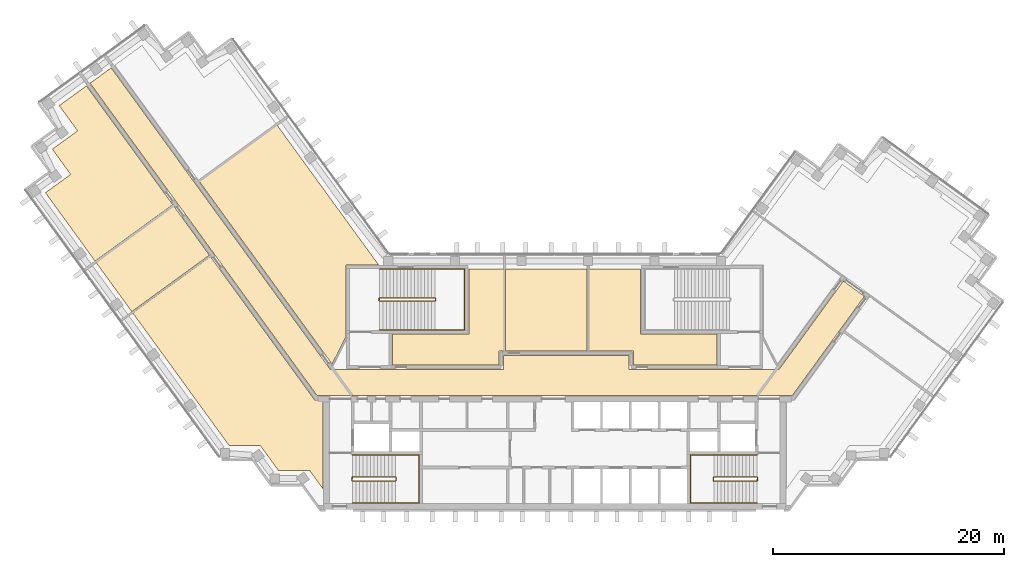
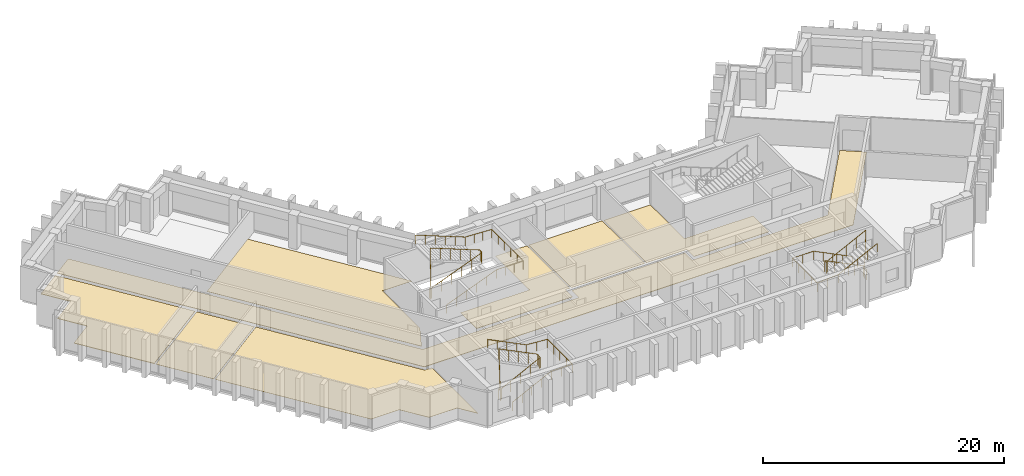
# One storey, part 8 of 9: 8 coverings, 6 railings.
"""IFC4 building model written with IfcOpenShell, lengths in metres."""

from ifc_helpers import new_model, si_unit, direction, frame, origin, origin_2d, place, context, subcontext, project, spatial, polyline, circle, outline, extrude, material, layer, layer_set, type_object, element, save


model = new_model("IFC4")

# Units and contexts
model_context = context("Model", 3, precision=1e-05, world=origin(), true_north=direction((0.0, 1.0)))
body_context = subcontext(model_context, "Body", "Model", "MODEL_VIEW")
ifc_project = project(units=[si_unit("LENGTHUNIT", "METRE"), si_unit("AREAUNIT", "SQUARE_METRE"), si_unit("VOLUMEUNIT", "CUBIC_METRE"), si_unit("PLANEANGLEUNIT", "RADIAN"), si_unit("MASSUNIT", "GRAM", prefix="KILO")], contexts=[model_context])

# Site, building, storey
site_placement = place(None, origin())
site = spatial("IfcSite", under=ifc_project, at=site_placement, CompositionType="ELEMENT")
building_placement = place(site_placement, origin())
building = spatial("IfcBuilding", under=site, at=building_placement, Name="Quipu Civic Tower", CompositionType="ELEMENT")
storey_placement = place(building_placement, frame((0.0, 0.0, 238.0)))
storey = spatial("IfcBuildingStorey", under=building, at=storey_placement, Name="L56", CompositionType="ELEMENT", Elevation=238.0)

# Coverings
ifc_material_1 = material(Name="Carpet tile on raised access floor")
ifc_layer_1 = layer(ifc_material_1, 0.02001953125)
ifc_layer_set_1 = layer_set([ifc_layer_1], Name="Carpet tile on raised access floor")
covering_type_1 = type_object("IfcCoveringType", Name="Carpet tile floor finish 20", PredefinedType="FLOORING", material=ifc_layer_set_1)
covering_1_placement = place(storey_placement, origin())
element("IfcCovering", 1, at=covering_1_placement, inside=storey, type_object=covering_type_1, Name="Carpet tile floor finish 20", PredefinedType="FLOORING", context=body_context, shape_type="SweptSolid", body=[
    extrude(outline(polyline([(-36.52001953125, 6.013916015625), (-29.7958984375, 10.89794921875), (-20.77490234375, -1.51904296875), (-20.070068359375, -1.52001953125), (-20.070068359375, -9.195068359375), (-21.196044921875, -7.64599609375), (-23.89501953125, -7.64599609375), (-25.48193359375, -5.4619140625), (-28.181884765625, -5.4609375), (-36.52001953125, 6.013916015625)])), origin(), (0.0, 0.0, 1.0), 0.02001953125),
])
covering_2_placement = place(storey_placement, origin())
element("IfcCovering", 2, at=covering_2_placement, inside=storey, type_object=covering_type_1, Name="Carpet tile floor finish 20", PredefinedType="FLOORING", context=body_context, shape_type="SweptSolid", body=[
    extrude(outline(polyline([(-14.030029296875, 1.52001953125), (-14.030029296875, 4.179931640625), (-7.430908203125, 4.179931640625), (-7.429931640625, 9.830078125), (-4.388916015625, 9.830078125), (-4.388916015625, 2.719970703125), (-4.820068359375, 2.718994140625), (-4.820068359375, 1.52001953125), (-14.030029296875, 1.52001953125)])), origin(), (0.0, 0.0, 1.0), 0.02001953125),
])
covering_3_placement = place(storey_placement, origin())
element("IfcCovering", 3, at=covering_3_placement, inside=storey, type_object=covering_type_1, Name="Carpet tile floor finish 20", PredefinedType="FLOORING", context=body_context, shape_type="SweptSolid", body=[
    extrude(outline(polyline([(2.948974609375, 2.719970703125), (2.948974609375, 9.830078125), (7.429931640625, 9.830078125), (7.430908203125, 4.179931640625), (14.030029296875, 4.179931640625), (14.030029296875, 1.52001953125), (6.820068359375, 1.52001953125), (6.819091796875, 2.719970703125), (2.948974609375, 2.719970703125)])), origin(), (0.0, 0.0, 1.0), 0.02001953125),
])
covering_4_placement = place(storey_placement, origin())
element("IfcCovering", 4, at=covering_4_placement, inside=storey, type_object=covering_type_1, Name="Carpet tile floor finish 20", PredefinedType="FLOORING", context=body_context, shape_type="SweptSolid", body=[
    extrude(outline(polyline([(-30.751953125, 17.385986328125), (-24.029052734375, 22.26904296875), (-15.238037109375, 10.169921875), (-18.070068359375, 10.1689453125), (-18.070068359375, 3.94189453125), (-19.27197265625, 1.583984375), (-30.751953125, 17.385986328125)])), origin(), (0.0, 0.0, 1.0), 0.02001953125),
])
covering_5_placement = place(storey_placement, origin())
element("IfcCovering", 5, at=covering_5_placement, inside=storey, type_object=covering_type_1, Name="Carpet tile floor finish 20", PredefinedType="FLOORING", context=body_context, shape_type="SweptSolid", body=[
    extrude(outline(polyline([(-39.694091796875, 10.383056640625), (-32.969970703125, 15.26708984375), (-29.87890625, 11.010986328125), (-36.60302734375, 6.126953125), (-39.694091796875, 10.383056640625)])), origin(), (0.0, 0.0, 1.0), 0.02001953125),
])
ifc_material_2 = material(Name="Ceramic floor tile")
ifc_layer_2 = layer(ifc_material_2, 0.030029296875)
ifc_layer_set_2 = layer_set([ifc_layer_2], Name="Ceramic floor tile")
covering_type_2 = type_object("IfcCoveringType", Name="Ceramic tile floor finish 30", PredefinedType="FLOORING", material=ifc_layer_set_2)
covering_6_placement = place(storey_placement, origin())
element("IfcCovering", 6, at=covering_6_placement, inside=storey, type_object=covering_type_2, Name="Ceramic tile floor finish 30", PredefinedType="FLOORING", context=body_context, shape_type="SweptSolid", body=[
    extrude(outline(polyline([(-4.2490234375, 2.719970703125), (-4.2490234375, 9.830078125), (2.80908203125, 9.830078125), (2.80908203125, 2.719970703125), (-4.2490234375, 2.719970703125)])), origin(), (0.0, 0.0, 1.0), 0.030029296875),
])
ifc_material_3 = material(Name="Sealed cement screed")
ifc_layer_3 = layer(ifc_material_3, 0.050048828125)
ifc_layer_set_3 = layer_set([ifc_layer_3], Name="Sealed cement screed")
covering_type_3 = type_object("IfcCoveringType", Name="Sealed screed floor finish 50", PredefinedType="FLOORING", material=ifc_layer_set_3)
covering_7_placement = place(storey_placement, origin())
element("IfcCovering", 7, at=covering_7_placement, inside=storey, type_object=covering_type_3, Name="Sealed screed floor finish 50", PredefinedType="FLOORING", context=body_context, shape_type="SweptSolid", body=[
    extrude(outline(polyline([(-44.074951171875, 16.4140625), (-41.89208984375, 17.9990234375), (-43.47802734375, 20.18505859375), (-41.294921875, 21.77197265625), (-42.881103515625, 23.9560546875), (-40.52587890625, 25.666015625), (-33.052978515625, 15.3798828125), (-39.777099609375, 10.49609375), (-44.074951171875, 16.4140625)])), origin(), (0.0, 0.0, 1.0), 0.050048828125),
])

# Railings
ifc_material_4 = material(Name="Stainless steel", Category="steel")
railing_type_1 = type_object("IfcRailingType", Name="Stair guard 1100", PredefinedType="GUARDRAIL", material=ifc_material_4)
railing_1_placement = place(storey_placement, frame((-17.5, -8.550048828125, 0.15380859375)))
element("IfcRailing", 8, at=railing_1_placement, inside=storey, type_object=railing_type_1, Name="Stair 1 guard", PredefinedType="GUARDRAIL", context=body_context, shape_type="SweptSolid", body=[
    extrude(circle(Radius=0.02392578125, at=origin_2d()), frame((0.0, 0.0, 1.076171875), z_axis=(0.895751851347, 0.0, 0.444554407028), x_axis=(0.0, 1.0, 0.0)), (0.0, 0.0, 1.0), 4.15283203125),
    extrude(circle(Radius=0.02392578125, at=origin_2d()), frame((3.719970703125, 0.0, 2.92236328125), z_axis=(0.707106781187, 0.707106781187, 0.0), x_axis=(-0.707106781187, 0.707106781187, 0.0)), (0.0, 0.0, 1.0), 0.07080078125),
    extrude(circle(Radius=0.02392578125, at=origin_2d()), frame((3.77001953125, 0.050048828125, 2.92236328125), z_axis=(0.0, 1.0, 0.0), x_axis=(-1.0, 0.0, 0.0)), (0.0, 0.0, 1.0), 0.25),
    extrude(circle(Radius=0.02392578125, at=origin_2d()), frame((3.77001953125, 0.300048828125, 2.92236328125), z_axis=(-0.295599637079, 0.295599637079, 0.908428152975), x_axis=(-0.707106781187, -0.707106781187, 0.0)), (0.0, 0.0, 1.0), 0.16943359375),
    extrude(circle(Radius=0.02392578125, at=origin_2d()), frame((3.719970703125, 0.35009765625, 3.076171875), z_axis=(-0.895751851347, 0.0, 0.444554407028), x_axis=(0.0, -1.0, 0.0)), (0.0, 0.0, 1.0), 4.15283203125),
    extrude(circle(Radius=0.02392578125, at=origin_2d()), frame((0.0, 0.35009765625, 4.92236328125), z_axis=(-0.012476181752, -0.074796231092, -0.997120789425), x_axis=(0.986372223864, -0.164529134168, 0.0)), (0.0, 0.0, 1.0), 4.011474609375),
    extrude(circle(Radius=0.02392578125, at=origin_2d()), frame((-0.050048828125, 0.050048828125, 0.92236328125), z_axis=(0.0, 1.0, 0.0), x_axis=(-1.0, 0.0, 0.0)), (0.0, 0.0, 1.0), 0.25),
    extrude(circle(Radius=0.02099609375, at=origin_2d()), origin(), (0.0, 0.0, 1.0), 1.052001953125),
    extrude(circle(Radius=0.02099609375, at=origin_2d()), frame((0.929931640625, 0.0, 0.46142578125)), (0.0, 0.0, 1.0), 1.052001953125),
    extrude(circle(Radius=0.02099609375, at=origin_2d()), frame((1.85986328125, 0.0, 0.923095703125)), (0.0, 0.0, 1.0), 1.052001953125),
    extrude(circle(Radius=0.02099609375, at=origin_2d()), frame((2.7900390625, 0.0, 1.384765625)), (0.0, 0.0, 1.0), 1.052001953125),
    extrude(circle(Radius=0.02099609375, at=origin_2d()), frame((3.719970703125, 0.0, 1.84619140625)), (0.0, 0.0, 1.0), 1.052001953125),
    extrude(circle(Radius=0.02099609375, at=origin_2d()), frame((3.77001953125, 0.050048828125, 1.84619140625)), (0.0, 0.0, 1.0), 1.052001953125),
    extrude(circle(Radius=0.02099609375, at=origin_2d()), frame((3.77001953125, 0.300048828125, 1.84619140625)), (0.0, 0.0, 1.0), 1.052001953125),
    extrude(circle(Radius=0.02099609375, at=origin_2d()), frame((3.719970703125, 0.35009765625, 2.0)), (0.0, 0.0, 1.0), 1.052001953125),
    extrude(circle(Radius=0.02099609375, at=origin_2d()), frame((2.7900390625, 0.35009765625, 2.46142578125)), (0.0, 0.0, 1.0), 1.052001953125),
    extrude(circle(Radius=0.02099609375, at=origin_2d()), frame((1.85986328125, 0.35009765625, 2.923095703125)), (0.0, 0.0, 1.0), 1.052001953125),
    extrude(circle(Radius=0.02099609375, at=origin_2d()), frame((0.929931640625, 0.35009765625, 3.384765625)), (0.0, 0.0, 1.0), 1.052001953125),
    extrude(circle(Radius=0.02099609375, at=origin_2d()), frame((0.0, 0.35009765625, 3.84619140625)), (0.0, 0.0, 1.0), 1.052001953125),
    extrude(circle(Radius=0.02099609375, at=origin_2d()), frame((-0.012451171875, 0.275146484375, 2.84619140625)), (0.0, 0.0, 1.0), 1.052001953125),
    extrude(circle(Radius=0.02099609375, at=origin_2d()), frame((-0.02490234375, 0.2001953125, 1.84619140625)), (0.0, 0.0, 1.0), 1.052001953125),
    extrude(circle(Radius=0.02099609375, at=origin_2d()), frame((-0.03759765625, 0.125, 0.84619140625)), (0.0, 0.0, 1.0), 1.052001953125),
    extrude(circle(Radius=0.02099609375, at=origin_2d()), frame((-0.050048828125, 0.050048828125, -0.15380859375)), (0.0, 0.0, 1.0), 1.052001953125),
    extrude(circle(Radius=0.02099609375, at=origin_2d()), frame((-0.050048828125, 0.300048828125, -0.15380859375)), (0.0, 0.0, 1.0), 1.052001953125),
])
railing_2_placement = place(storey_placement, frame((17.5, -8.199951171875, 0.15380859375)))
element("IfcRailing", 9, at=railing_2_placement, inside=storey, type_object=railing_type_1, Name="Stair 2 guard", PredefinedType="GUARDRAIL", context=body_context, shape_type="SweptSolid", body=[
    extrude(circle(Radius=0.02392578125, at=origin_2d()), frame((0.0, 0.0, 1.076171875), z_axis=(-0.895751851347, 0.0, 0.444554407028), x_axis=(0.0, -1.0, 0.0)), (0.0, 0.0, 1.0), 4.15283203125),
    extrude(circle(Radius=0.02392578125, at=origin_2d()), frame((-3.719970703125, 0.0, 2.92236328125), z_axis=(-0.707106781187, -0.707106781187, 0.0), x_axis=(0.707106781187, -0.707106781187, 0.0)), (0.0, 0.0, 1.0), 0.07080078125),
    extrude(circle(Radius=0.02392578125, at=origin_2d()), frame((-3.77001953125, -0.050048828125, 2.92236328125), z_axis=(0.0, -1.0, 0.0), x_axis=(1.0, 0.0, 0.0)), (0.0, 0.0, 1.0), 0.25),
    extrude(circle(Radius=0.02392578125, at=origin_2d()), frame((-3.77001953125, -0.300048828125, 2.92236328125), z_axis=(0.295599637079, -0.295599637079, 0.908428152975), x_axis=(0.707106781187, 0.707106781187, 0.0)), (0.0, 0.0, 1.0), 0.16943359375),
    extrude(circle(Radius=0.02392578125, at=origin_2d()), frame((-3.719970703125, -0.35009765625, 3.076171875), z_axis=(0.895751851347, 0.0, 0.444554407028), x_axis=(0.0, 1.0, 0.0)), (0.0, 0.0, 1.0), 4.15283203125),
    extrude(circle(Radius=0.02392578125, at=origin_2d()), frame((0.0, -0.35009765625, 4.92236328125), z_axis=(0.012476181752, 0.074796231092, -0.997120789425), x_axis=(-0.986372223864, 0.164529134168, 0.0)), (0.0, 0.0, 1.0), 4.011474609375),
    extrude(circle(Radius=0.02392578125, at=origin_2d()), frame((0.050048828125, -0.050048828125, 0.92236328125), z_axis=(0.0, -1.0, 0.0), x_axis=(1.0, 0.0, 0.0)), (0.0, 0.0, 1.0), 0.25),
    extrude(circle(Radius=0.02099609375, at=origin_2d()), origin(), (0.0, 0.0, 1.0), 1.052001953125),
    extrude(circle(Radius=0.02099609375, at=origin_2d()), frame((-0.929931640625, 0.0, 0.46142578125)), (0.0, 0.0, 1.0), 1.052001953125),
    extrude(circle(Radius=0.02099609375, at=origin_2d()), frame((-1.85986328125, 0.0, 0.923095703125)), (0.0, 0.0, 1.0), 1.052001953125),
    extrude(circle(Radius=0.02099609375, at=origin_2d()), frame((-2.7900390625, 0.0, 1.384765625)), (0.0, 0.0, 1.0), 1.052001953125),
    extrude(circle(Radius=0.02099609375, at=origin_2d()), frame((-3.719970703125, 0.0, 1.84619140625)), (0.0, 0.0, 1.0), 1.052001953125),
    extrude(circle(Radius=0.02099609375, at=origin_2d()), frame((-3.77001953125, -0.050048828125, 1.84619140625)), (0.0, 0.0, 1.0), 1.052001953125),
    extrude(circle(Radius=0.02099609375, at=origin_2d()), frame((-3.77001953125, -0.300048828125, 1.84619140625)), (0.0, 0.0, 1.0), 1.052001953125),
    extrude(circle(Radius=0.02099609375, at=origin_2d()), frame((-3.719970703125, -0.35009765625, 2.0)), (0.0, 0.0, 1.0), 1.052001953125),
    extrude(circle(Radius=0.02099609375, at=origin_2d()), frame((-2.7900390625, -0.35009765625, 2.46142578125)), (0.0, 0.0, 1.0), 1.052001953125),
    extrude(circle(Radius=0.02099609375, at=origin_2d()), frame((-1.85986328125, -0.35009765625, 2.923095703125)), (0.0, 0.0, 1.0), 1.052001953125),
    extrude(circle(Radius=0.02099609375, at=origin_2d()), frame((-0.929931640625, -0.35009765625, 3.384765625)), (0.0, 0.0, 1.0), 1.052001953125),
    extrude(circle(Radius=0.02099609375, at=origin_2d()), frame((0.0, -0.35009765625, 3.84619140625)), (0.0, 0.0, 1.0), 1.052001953125),
    extrude(circle(Radius=0.02099609375, at=origin_2d()), frame((0.012451171875, -0.275146484375, 2.84619140625)), (0.0, 0.0, 1.0), 1.052001953125),
    extrude(circle(Radius=0.02099609375, at=origin_2d()), frame((0.02490234375, -0.2001953125, 1.84619140625)), (0.0, 0.0, 1.0), 1.052001953125),
    extrude(circle(Radius=0.02099609375, at=origin_2d()), frame((0.03759765625, -0.125, 0.84619140625)), (0.0, 0.0, 1.0), 1.052001953125),
    extrude(circle(Radius=0.02099609375, at=origin_2d()), frame((0.050048828125, -0.050048828125, -0.15380859375)), (0.0, 0.0, 1.0), 1.052001953125),
    extrude(circle(Radius=0.02099609375, at=origin_2d()), frame((0.050048828125, -0.300048828125, -0.15380859375)), (0.0, 0.0, 1.0), 1.052001953125),
])
railing_3_placement = place(storey_placement, frame((-15.14990234375, 7.050048828125, 0.11767578125)))
element("IfcRailing", 10, at=railing_3_placement, inside=storey, type_object=railing_type_1, Name="Stair 3 guard", PredefinedType="GUARDRAIL", context=body_context, shape_type="SweptSolid", body=[
    extrude(circle(Radius=0.02392578125, at=origin_2d()), frame((0.0, 0.0, 1.076171875), z_axis=(0.930970042603, 0.0, 0.365095576219), x_axis=(0.0, 1.0, 0.0)), (0.0, 0.0, 1.0), 5.15576171875),
    extrude(circle(Radius=0.02392578125, at=origin_2d()), frame((4.7998046875, 0.0, 2.95849609375), z_axis=(0.707106781187, 0.707106781187, 0.0), x_axis=(-0.707106781187, 0.707106781187, 0.0)), (0.0, 0.0, 1.0), 0.07080078125),
    extrude(circle(Radius=0.02392578125, at=origin_2d()), frame((4.849853515625, 0.050048828125, 2.95849609375), z_axis=(0.0, 1.0, 0.0), x_axis=(-1.0, 0.0, 0.0)), (0.0, 0.0, 1.0), 0.14990234375),
    extrude(circle(Radius=0.02392578125, at=origin_2d()), frame((4.849853515625, 0.199951171875, 2.95849609375), z_axis=(-0.364463019033, 0.364463019033, 0.856932561824), x_axis=(-0.707106781187, -0.707106781187, 0.0)), (0.0, 0.0, 1.0), 0.13720703125),
    extrude(circle(Radius=0.02392578125, at=origin_2d()), frame((4.7998046875, 0.25, 3.076171875), z_axis=(-0.930970042603, 0.0, 0.365095576219), x_axis=(0.0, -1.0, 0.0)), (0.0, 0.0, 1.0), 5.15576171875),
    extrude(circle(Radius=0.02392578125, at=origin_2d()), frame((0.0, 0.25, 4.95849609375), z_axis=(-0.012495627992, -0.049921557685, -0.998674970829), x_axis=(0.970072785993, -0.242814311512, 0.0)), (0.0, 0.0, 1.0), 4.00537109375),
    extrude(circle(Radius=0.02392578125, at=origin_2d()), frame((-0.050048828125, 0.050048828125, 0.95849609375), z_axis=(0.0, 1.0, 0.0), x_axis=(-1.0, 0.0, 0.0)), (0.0, 0.0, 1.0), 0.14990234375),
    extrude(circle(Radius=0.02099609375, at=origin_2d()), origin(), (0.0, 0.0, 1.0), 1.052001953125),
    extrude(circle(Radius=0.02099609375, at=origin_2d()), frame((0.9599609375, 0.0, 0.37646484375)), (0.0, 0.0, 1.0), 1.052001953125),
    extrude(circle(Radius=0.02099609375, at=origin_2d()), frame((1.919921875, 0.0, 0.7529296875)), (0.0, 0.0, 1.0), 1.052001953125),
    extrude(circle(Radius=0.02099609375, at=origin_2d()), frame((2.8798828125, 0.0, 1.12939453125)), (0.0, 0.0, 1.0), 1.052001953125),
    extrude(circle(Radius=0.02099609375, at=origin_2d()), frame((3.83984375, 0.0, 1.505859375)), (0.0, 0.0, 1.0), 1.052001953125),
    extrude(circle(Radius=0.02099609375, at=origin_2d()), frame((4.7998046875, 0.0, 1.88232421875)), (0.0, 0.0, 1.0), 1.052001953125),
    extrude(circle(Radius=0.02099609375, at=origin_2d()), frame((4.849853515625, 0.050048828125, 1.88232421875)), (0.0, 0.0, 1.0), 1.052001953125),
    extrude(circle(Radius=0.02099609375, at=origin_2d()), frame((4.849853515625, 0.199951171875, 1.88232421875)), (0.0, 0.0, 1.0), 1.052001953125),
    extrude(circle(Radius=0.02099609375, at=origin_2d()), frame((4.7998046875, 0.25, 2.0)), (0.0, 0.0, 1.0), 1.052001953125),
    extrude(circle(Radius=0.02099609375, at=origin_2d()), frame((3.83984375, 0.25, 2.37646484375)), (0.0, 0.0, 1.0), 1.052001953125),
    extrude(circle(Radius=0.02099609375, at=origin_2d()), frame((2.8798828125, 0.25, 2.7529296875)), (0.0, 0.0, 1.0), 1.052001953125),
    extrude(circle(Radius=0.02099609375, at=origin_2d()), frame((1.919921875, 0.25, 3.12939453125)), (0.0, 0.0, 1.0), 1.052001953125),
    extrude(circle(Radius=0.02099609375, at=origin_2d()), frame((0.9599609375, 0.25, 3.505859375)), (0.0, 0.0, 1.0), 1.052001953125),
    extrude(circle(Radius=0.02099609375, at=origin_2d()), frame((0.0, 0.25, 3.88232421875)), (0.0, 0.0, 1.0), 1.052001953125),
    extrude(circle(Radius=0.02099609375, at=origin_2d()), frame((-0.012451171875, 0.199951171875, 2.88232421875)), (0.0, 0.0, 1.0), 1.052001953125),
    extrude(circle(Radius=0.02099609375, at=origin_2d()), frame((-0.02490234375, 0.14990234375, 1.88232421875)), (0.0, 0.0, 1.0), 1.052001953125),
    extrude(circle(Radius=0.02099609375, at=origin_2d()), frame((-0.03759765625, 0.10009765625, 0.88232421875)), (0.0, 0.0, 1.0), 1.052001953125),
    extrude(circle(Radius=0.02099609375, at=origin_2d()), frame((-0.050048828125, 0.050048828125, -0.11767578125)), (0.0, 0.0, 1.0), 1.052001953125),
    extrude(circle(Radius=0.02099609375, at=origin_2d()), frame((-0.050048828125, 0.199951171875, -0.11767578125)), (0.0, 0.0, 1.0), 1.052001953125),
])
ifc_material_5 = material(Name="Stainless steel", Category="steel")
railing_type_2 = type_object("IfcRailingType", Name="Stair handrail", PredefinedType="HANDRAIL", material=ifc_material_5)
railing_4_placement = place(storey_placement, frame((-17.5, -10.449951171875, 0.15380859375)))
element("IfcRailing", 11, at=railing_4_placement, inside=storey, type_object=railing_type_2, Name="Stair 1 handrail", PredefinedType="HANDRAIL", context=body_context, shape_type="SweptSolid", body=[
    extrude(circle(Radius=0.02392578125, at=origin_2d()), frame((0.0, 0.0, 0.8759765625), z_axis=(0.895751851347, 0.0, 0.444554407028), x_axis=(0.0, 1.0, 0.0)), (0.0, 0.0, 1.0), 4.15283203125),
    extrude(circle(Radius=0.02392578125, at=origin_2d()), frame((3.719970703125, 0.0, 2.72216796875), z_axis=(1.0, 0.0, 0.0), x_axis=(0.0, 1.0, 0.0)), (0.0, 0.0, 1.0), 2.030029296875),
    extrude(circle(Radius=0.02392578125, at=origin_2d()), frame((5.75, 0.0, 2.72216796875), z_axis=(0.0, 1.0, 0.0), x_axis=(-1.0, 0.0, 0.0)), (0.0, 0.0, 1.0), 4.14990234375),
    extrude(circle(Radius=0.02392578125, at=origin_2d()), frame((5.75, 4.14990234375, 2.72216796875), z_axis=(-0.997142003663, 0.0, 0.075550145798), x_axis=(0.0, -1.0, 0.0)), (0.0, 0.0, 1.0), 2.035888671875),
    extrude(circle(Radius=0.02392578125, at=origin_2d()), frame((3.719970703125, 4.14990234375, 2.8759765625), z_axis=(-0.895751851347, 0.0, 0.444554407028), x_axis=(0.0, -1.0, 0.0)), (0.0, 0.0, 1.0), 4.15283203125),
    extrude(circle(Radius=0.02099609375, at=origin_2d()), origin(), (0.0, 0.0, 1.0), 0.851806640625),
    extrude(circle(Radius=0.02099609375, at=origin_2d()), frame((0.929931640625, 0.0, 0.46142578125)), (0.0, 0.0, 1.0), 0.851806640625),
    extrude(circle(Radius=0.02099609375, at=origin_2d()), frame((1.85986328125, 0.0, 0.923095703125)), (0.0, 0.0, 1.0), 0.851806640625),
    extrude(circle(Radius=0.02099609375, at=origin_2d()), frame((2.7900390625, 0.0, 1.384765625)), (0.0, 0.0, 1.0), 0.851806640625),
    extrude(circle(Radius=0.02099609375, at=origin_2d()), frame((3.719970703125, 0.0, 1.84619140625)), (0.0, 0.0, 1.0), 0.851806640625),
    extrude(circle(Radius=0.02099609375, at=origin_2d()), frame((4.73486328125, 0.0, 1.84619140625)), (0.0, 0.0, 1.0), 0.851806640625),
    extrude(circle(Radius=0.02099609375, at=origin_2d()), frame((5.75, 0.0, 1.84619140625)), (0.0, 0.0, 1.0), 0.851806640625),
    extrude(circle(Radius=0.02099609375, at=origin_2d()), frame((5.75, 1.03759765625, 1.84619140625)), (0.0, 0.0, 1.0), 0.851806640625),
    extrude(circle(Radius=0.02099609375, at=origin_2d()), frame((5.75, 2.074951171875, 1.84619140625)), (0.0, 0.0, 1.0), 0.851806640625),
    extrude(circle(Radius=0.02099609375, at=origin_2d()), frame((5.75, 3.1123046875, 1.84619140625)), (0.0, 0.0, 1.0), 0.851806640625),
    extrude(circle(Radius=0.02099609375, at=origin_2d()), frame((5.75, 4.14990234375, 1.84619140625)), (0.0, 0.0, 1.0), 0.851806640625),
    extrude(circle(Radius=0.02099609375, at=origin_2d()), frame((4.73486328125, 4.14990234375, 1.923095703125)), (0.0, 0.0, 1.0), 0.851806640625),
    extrude(circle(Radius=0.02099609375, at=origin_2d()), frame((3.719970703125, 4.14990234375, 2.0)), (0.0, 0.0, 1.0), 0.851806640625),
    extrude(circle(Radius=0.02099609375, at=origin_2d()), frame((2.7900390625, 4.14990234375, 2.46142578125)), (0.0, 0.0, 1.0), 0.851806640625),
    extrude(circle(Radius=0.02099609375, at=origin_2d()), frame((1.85986328125, 4.14990234375, 2.923095703125)), (0.0, 0.0, 1.0), 0.851806640625),
    extrude(circle(Radius=0.02099609375, at=origin_2d()), frame((0.929931640625, 4.14990234375, 3.384765625)), (0.0, 0.0, 1.0), 0.851806640625),
    extrude(circle(Radius=0.02099609375, at=origin_2d()), frame((0.0, 4.14990234375, 3.84619140625)), (0.0, 0.0, 1.0), 0.851806640625),
])
railing_5_placement = place(storey_placement, frame((17.5, -6.300048828125, 0.15380859375)))
element("IfcRailing", 12, at=railing_5_placement, inside=storey, type_object=railing_type_2, Name="Stair 2 handrail", PredefinedType="HANDRAIL", context=body_context, shape_type="SweptSolid", body=[
    extrude(circle(Radius=0.02392578125, at=origin_2d()), frame((0.0, 0.0, 0.8759765625), z_axis=(-0.895751851347, 0.0, 0.444554407028), x_axis=(0.0, -1.0, 0.0)), (0.0, 0.0, 1.0), 4.15283203125),
    extrude(circle(Radius=0.02392578125, at=origin_2d()), frame((-3.719970703125, 0.0, 2.72216796875), z_axis=(-1.0, 0.0, 0.0), x_axis=(0.0, -1.0, 0.0)), (0.0, 0.0, 1.0), 2.030029296875),
    extrude(circle(Radius=0.02392578125, at=origin_2d()), frame((-5.75, 0.0, 2.72216796875), z_axis=(0.0, -1.0, 0.0), x_axis=(1.0, 0.0, 0.0)), (0.0, 0.0, 1.0), 4.14990234375),
    extrude(circle(Radius=0.02392578125, at=origin_2d()), frame((-5.75, -4.14990234375, 2.72216796875), z_axis=(0.997142003663, 0.0, 0.075550145798), x_axis=(0.0, 1.0, 0.0)), (0.0, 0.0, 1.0), 2.035888671875),
    extrude(circle(Radius=0.02392578125, at=origin_2d()), frame((-3.719970703125, -4.14990234375, 2.8759765625), z_axis=(0.895751851347, 0.0, 0.444554407028), x_axis=(0.0, 1.0, 0.0)), (0.0, 0.0, 1.0), 4.15283203125),
    extrude(circle(Radius=0.02099609375, at=origin_2d()), origin(), (0.0, 0.0, 1.0), 0.851806640625),
    extrude(circle(Radius=0.02099609375, at=origin_2d()), frame((-0.929931640625, 0.0, 0.46142578125)), (0.0, 0.0, 1.0), 0.851806640625),
    extrude(circle(Radius=0.02099609375, at=origin_2d()), frame((-1.85986328125, 0.0, 0.923095703125)), (0.0, 0.0, 1.0), 0.851806640625),
    extrude(circle(Radius=0.02099609375, at=origin_2d()), frame((-2.7900390625, 0.0, 1.384765625)), (0.0, 0.0, 1.0), 0.851806640625),
    extrude(circle(Radius=0.02099609375, at=origin_2d()), frame((-3.719970703125, 0.0, 1.84619140625)), (0.0, 0.0, 1.0), 0.851806640625),
    extrude(circle(Radius=0.02099609375, at=origin_2d()), frame((-4.73486328125, 0.0, 1.84619140625)), (0.0, 0.0, 1.0), 0.851806640625),
    extrude(circle(Radius=0.02099609375, at=origin_2d()), frame((-5.75, 0.0, 1.84619140625)), (0.0, 0.0, 1.0), 0.851806640625),
    extrude(circle(Radius=0.02099609375, at=origin_2d()), frame((-5.75, -1.03759765625, 1.84619140625)), (0.0, 0.0, 1.0), 0.851806640625),
    extrude(circle(Radius=0.02099609375, at=origin_2d()), frame((-5.75, -2.074951171875, 1.84619140625)), (0.0, 0.0, 1.0), 0.851806640625),
    extrude(circle(Radius=0.02099609375, at=origin_2d()), frame((-5.75, -3.1123046875, 1.84619140625)), (0.0, 0.0, 1.0), 0.851806640625),
    extrude(circle(Radius=0.02099609375, at=origin_2d()), frame((-5.75, -4.14990234375, 1.84619140625)), (0.0, 0.0, 1.0), 0.851806640625),
    extrude(circle(Radius=0.02099609375, at=origin_2d()), frame((-4.73486328125, -4.14990234375, 1.923095703125)), (0.0, 0.0, 1.0), 0.851806640625),
    extrude(circle(Radius=0.02099609375, at=origin_2d()), frame((-3.719970703125, -4.14990234375, 2.0)), (0.0, 0.0, 1.0), 0.851806640625),
    extrude(circle(Radius=0.02099609375, at=origin_2d()), frame((-2.7900390625, -4.14990234375, 2.46142578125)), (0.0, 0.0, 1.0), 0.851806640625),
    extrude(circle(Radius=0.02099609375, at=origin_2d()), frame((-1.85986328125, -4.14990234375, 2.923095703125)), (0.0, 0.0, 1.0), 0.851806640625),
    extrude(circle(Radius=0.02099609375, at=origin_2d()), frame((-0.929931640625, -4.14990234375, 3.384765625)), (0.0, 0.0, 1.0), 0.851806640625),
    extrude(circle(Radius=0.02099609375, at=origin_2d()), frame((0.0, -4.14990234375, 3.84619140625)), (0.0, 0.0, 1.0), 0.851806640625),
])
railing_6_placement = place(storey_placement, frame((-15.14990234375, 4.550048828125, 0.11767578125)))
element("IfcRailing", 13, at=railing_6_placement, inside=storey, type_object=railing_type_2, Name="Stair 3 handrail", PredefinedType="HANDRAIL", context=body_context, shape_type="SweptSolid", body=[
    extrude(circle(Radius=0.02392578125, at=origin_2d()), frame((0.0, 0.0, 0.8759765625), z_axis=(0.930970042603, 0.0, 0.365095576219), x_axis=(0.0, 1.0, 0.0)), (0.0, 0.0, 1.0), 5.15576171875),
    extrude(circle(Radius=0.02392578125, at=origin_2d()), frame((4.7998046875, 0.0, 2.75830078125), z_axis=(1.0, 0.0, 0.0), x_axis=(0.0, 1.0, 0.0)), (0.0, 0.0, 1.0), 2.550048828125),
    extrude(circle(Radius=0.02392578125, at=origin_2d()), frame((7.349853515625, 0.0, 2.75830078125), z_axis=(0.0, 1.0, 0.0), x_axis=(-1.0, 0.0, 0.0)), (0.0, 0.0, 1.0), 5.25),
    extrude(circle(Radius=0.02392578125, at=origin_2d()), frame((7.349853515625, 5.25, 2.75830078125), z_axis=(-0.998936948642, 0.0, 0.04609742549), x_axis=(0.0, -1.0, 0.0)), (0.0, 0.0, 1.0), 2.552734375),
    extrude(circle(Radius=0.02392578125, at=origin_2d()), frame((4.7998046875, 5.25, 2.8759765625), z_axis=(-0.930970042603, 0.0, 0.365095576219), x_axis=(0.0, -1.0, 0.0)), (0.0, 0.0, 1.0), 5.15576171875),
    extrude(circle(Radius=0.02099609375, at=origin_2d()), origin(), (0.0, 0.0, 1.0), 0.851806640625),
    extrude(circle(Radius=0.02099609375, at=origin_2d()), frame((0.9599609375, 0.0, 0.37646484375)), (0.0, 0.0, 1.0), 0.851806640625),
    extrude(circle(Radius=0.02099609375, at=origin_2d()), frame((1.919921875, 0.0, 0.7529296875)), (0.0, 0.0, 1.0), 0.851806640625),
    extrude(circle(Radius=0.02099609375, at=origin_2d()), frame((2.8798828125, 0.0, 1.12939453125)), (0.0, 0.0, 1.0), 0.851806640625),
    extrude(circle(Radius=0.02099609375, at=origin_2d()), frame((3.83984375, 0.0, 1.505859375)), (0.0, 0.0, 1.0), 0.851806640625),
    extrude(circle(Radius=0.02099609375, at=origin_2d()), frame((4.7998046875, 0.0, 1.88232421875)), (0.0, 0.0, 1.0), 0.851806640625),
    extrude(circle(Radius=0.02099609375, at=origin_2d()), frame((5.64990234375, 0.0, 1.88232421875)), (0.0, 0.0, 1.0), 0.851806640625),
    extrude(circle(Radius=0.02099609375, at=origin_2d()), frame((6.499755859375, 0.0, 1.88232421875)), (0.0, 0.0, 1.0), 0.851806640625),
    extrude(circle(Radius=0.02099609375, at=origin_2d()), frame((7.349853515625, 0.0, 1.88232421875)), (0.0, 0.0, 1.0), 0.851806640625),
    extrude(circle(Radius=0.02099609375, at=origin_2d()), frame((7.349853515625, 1.050048828125, 1.88232421875)), (0.0, 0.0, 1.0), 0.851806640625),
    extrude(circle(Radius=0.02099609375, at=origin_2d()), frame((7.349853515625, 2.10009765625, 1.88232421875)), (0.0, 0.0, 1.0), 0.851806640625),
    extrude(circle(Radius=0.02099609375, at=origin_2d()), frame((7.349853515625, 3.14990234375, 1.88232421875)), (0.0, 0.0, 1.0), 0.851806640625),
    extrude(circle(Radius=0.02099609375, at=origin_2d()), frame((7.349853515625, 4.199951171875, 1.88232421875)), (0.0, 0.0, 1.0), 0.851806640625),
    extrude(circle(Radius=0.02099609375, at=origin_2d()), frame((7.349853515625, 5.25, 1.88232421875)), (0.0, 0.0, 1.0), 0.851806640625),
    extrude(circle(Radius=0.02099609375, at=origin_2d()), frame((6.499755859375, 5.25, 1.921630859375)), (0.0, 0.0, 1.0), 0.851806640625),
    extrude(circle(Radius=0.02099609375, at=origin_2d()), frame((5.64990234375, 5.25, 1.960693359375)), (0.0, 0.0, 1.0), 0.851806640625),
    extrude(circle(Radius=0.02099609375, at=origin_2d()), frame((4.7998046875, 5.25, 2.0)), (0.0, 0.0, 1.0), 0.851806640625),
    extrude(circle(Radius=0.02099609375, at=origin_2d()), frame((3.83984375, 5.25, 2.37646484375)), (0.0, 0.0, 1.0), 0.851806640625),
    extrude(circle(Radius=0.02099609375, at=origin_2d()), frame((2.8798828125, 5.25, 2.7529296875)), (0.0, 0.0, 1.0), 0.851806640625),
    extrude(circle(Radius=0.02099609375, at=origin_2d()), frame((1.919921875, 5.25, 3.12939453125)), (0.0, 0.0, 1.0), 0.851806640625),
    extrude(circle(Radius=0.02099609375, at=origin_2d()), frame((0.9599609375, 5.25, 3.505859375)), (0.0, 0.0, 1.0), 0.851806640625),
    extrude(circle(Radius=0.02099609375, at=origin_2d()), frame((0.0, 5.25, 3.88232421875)), (0.0, 0.0, 1.0), 0.851806640625),
])

# Covering
ifc_material_6 = material(Name="Terrazzo floor finish")
ifc_layer_4 = layer(ifc_material_6, 0.0400390625)
ifc_layer_set_4 = layer_set([ifc_layer_4], Name="Terrazzo floor finish")
covering_type_4 = type_object("IfcCoveringType", Name="Terrazzo floor finish 40", PredefinedType="FLOORING", material=ifc_layer_set_4)
covering_8_placement = place(storey_placement, origin())
element("IfcCovering", 14, at=covering_8_placement, inside=storey, type_object=covering_type_4, Name="Terrazzo floor finish 40", PredefinedType="FLOORING", context=body_context, shape_type="SweptSolid", body=[
    extrude(outline(polyline([(6.429931640625, 1.1298828125), (19.425048828125, 1.1298828125), (24.98095703125, 8.778076171875), (26.80908203125, 7.450927734375), (20.574951171875, -1.1298828125), (-20.574951171875, -1.1298828125), (-40.2109375, 25.89599609375), (-38.382080078125, 27.22412109375), (-19.425048828125, 1.1298828125), (-4.429931640625, 1.1298828125), (-4.429931640625, 2.330078125), (6.429931640625, 2.330078125), (6.429931640625, 1.1298828125)])), origin(), (0.0, 0.0, 1.0), 0.0400390625),
])

save(model, "model.ifc")
